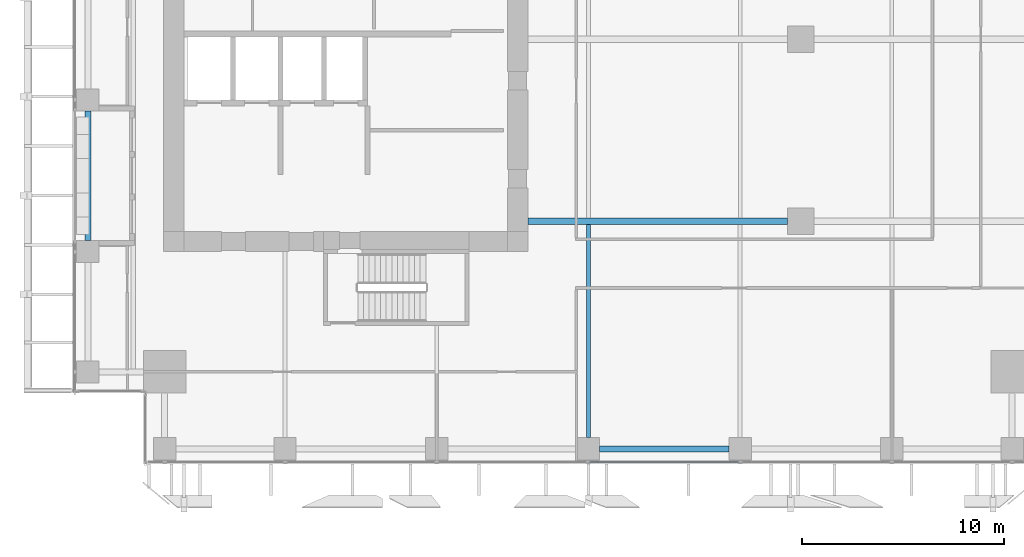
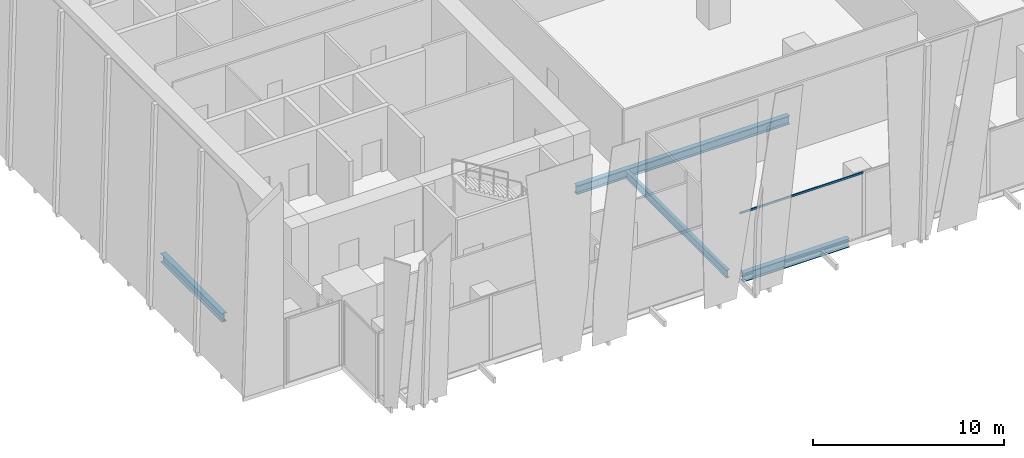
# One storey, part 4 of 34: 4 beams, 1 member, 1 element without a shape of its own.
"""IFC4 building model written with IfcOpenShell, lengths in metres."""

from ifc_helpers import new_model, si_unit, direction, frame, origin, origin_2d, place, context, subcontext, project, spatial, hollow_rectangle, i_section, extrude, source, transform, mapped, material, material_profile, profile_set, type_object, element, aggregate, save


model = new_model("IFC4")

# Units and contexts
model_context = context("Model", 3, precision=1e-05, world=origin(), true_north=direction((0.0, 1.0)))
body_context = subcontext(model_context, "Body", "Model", "MODEL_VIEW")
ifc_project = project(units=[si_unit("LENGTHUNIT", "METRE"), si_unit("AREAUNIT", "SQUARE_METRE"), si_unit("VOLUMEUNIT", "CUBIC_METRE"), si_unit("PLANEANGLEUNIT", "RADIAN"), si_unit("MASSUNIT", "GRAM", prefix="KILO")], contexts=[model_context])

# Site, building, storey
site_placement = place(None, origin())
site = spatial("IfcSite", under=ifc_project, at=site_placement, CompositionType="ELEMENT")
building_placement = place(site_placement, origin())
building = spatial("IfcBuilding", under=site, at=building_placement, Name="Khomas Fold Tower", CompositionType="ELEMENT")
storey_placement = place(building_placement, frame((0.0, 0.0, 114.699951171875)))
storey = spatial("IfcBuildingStorey", under=building, at=storey_placement, Name="L24", CompositionType="ELEMENT", Elevation=114.699951171875)

# Beams
ifc_material_1 = material(Name="Steel S355", Category="steel")
ifc_material_profile_1 = material_profile(ifc_material_1, i_section(OverallWidth=0.300048828125, OverallDepth=0.550048828125, WebThickness=0.014892578125, FlangeThickness=0.029052734375, at=origin_2d()), Name="HE 550 B")
ifc_profile_set_1 = profile_set([ifc_material_profile_1], Name="Steel S355")
beam_type_1 = type_object("IfcBeamType", Name="HE 550 B spandrel SB2", PredefinedType="SPANDREL", material=ifc_profile_set_1)
shared_shape_1 = source(origin(), body_context, "Body", "SweptSolid", [
    extrude(i_section(OverallWidth=0.300048828125, OverallDepth=0.550048828125, WebThickness=0.014892578125, FlangeThickness=0.029052734375, at=origin_2d()), origin(), (0.0, 0.0, 1.0), 6.39990234375),
])
for number, where, z_axis, x_axis, name in (
    (1, (27.550048828125, 2.25, -0.574951171875), (1.0, 0.0, 0.0), (0.0, 1.0, 0.0), "SB2"),
    (2, (2.25, 12.550048828125, -0.574951171875), (0.0, 1.0, 0.0), (-1.0, 0.0, 0.0), "SB2"),
):
    element("IfcBeam", number, at=place(storey_placement, frame(where, z_axis=z_axis, x_axis=x_axis)), inside=storey, type_object=beam_type_1, Name=name, PredefinedType="SPANDREL", context=body_context, shape_type="MappedRepresentation", body=[
        mapped(shared_shape_1, transform((0.0, 0.0, 0.0))),
    ])
ifc_material_2 = material(Name="Steel S355", Category="steel")
ifc_material_profile_2 = material_profile(ifc_material_2, i_section(OverallWidth=0.300048828125, OverallDepth=0.550048828125, WebThickness=0.014892578125, FlangeThickness=0.029052734375, at=origin_2d()), Name="HE 550 B")
ifc_profile_set_2 = profile_set([ifc_material_profile_2], Name="Steel S355")
beam_type_2 = type_object("IfcBeamType", Name="HE 550 B beam GB4", PredefinedType="BEAM", material=ifc_profile_set_2)
shared_shape_2 = source(origin(), body_context, "Body", "SweptSolid", [
    extrude(i_section(OverallWidth=0.300048828125, OverallDepth=0.550048828125, WebThickness=0.014892578125, FlangeThickness=0.029052734375, at=origin_2d()), origin(), (0.0, 0.0, 1.0), 12.85009765625),
])
beam_1_placement = place(storey_placement, frame((24.0, 13.5, -0.574951171875), z_axis=(1.0, 0.0, 0.0), x_axis=(0.0, 1.0, 0.0)))
element("IfcBeam", 3, at=beam_1_placement, inside=storey, type_object=beam_type_2, Name="GB4", PredefinedType="BEAM", context=body_context, shape_type="MappedRepresentation", body=[
    mapped(shared_shape_2, transform((0.0, 0.0, 0.0))),
])
ifc_material_3 = material(Name="Steel S355", Category="steel")
ifc_material_profile_3 = material_profile(ifc_material_3, i_section(OverallWidth=0.199951171875, OverallDepth=0.5, WebThickness=0.01025390625, FlangeThickness=0.01611328125, at=origin_2d()), Name="IPE 500")
ifc_profile_set_3 = profile_set([ifc_material_profile_3], Name="Steel S355")
beam_type_3 = type_object("IfcBeamType", Name="IPE 500 beam JB5", PredefinedType="BEAM", material=ifc_profile_set_3)
shared_shape_3 = source(origin(), body_context, "Body", "SweptSolid", [
    extrude(i_section(OverallWidth=0.199951171875, OverallDepth=0.5, WebThickness=0.01025390625, FlangeThickness=0.01611328125, at=origin_2d()), origin(), (0.0, 0.0, 1.0), 10.550048828125),
])
beam_2_placement = place(storey_placement, frame((27.0, 2.800048828125, -0.550048828125), z_axis=(0.0, 1.0, 0.0), x_axis=(-1.0, 0.0, 0.0)))
element("IfcBeam", 4, at=beam_2_placement, inside=storey, type_object=beam_type_3, Name="JB5", PredefinedType="BEAM", context=body_context, shape_type="MappedRepresentation", body=[
    mapped(shared_shape_3, transform((0.0, 0.0, 0.0))),
])

# Curtain wall, member
ifc_material_4 = material(Name="Aluminium framed double glazing", Category="aluminium")
curtain_wall_type = type_object("IfcCurtainWallType", Name="SK-Unitised clear-glass wall, growing floors CW1", PredefinedType="NOTDEFINED", material=ifc_material_4)
curtain_wall_placement = place(storey_placement, origin())
curtain_wall = element("IfcCurtainWall", 5, at=curtain_wall_placement, inside=storey, type_object=curtain_wall_type, Name="CW1 run L24 00-0", PredefinedType="NOTDEFINED")
ifc_material_5 = material(Name="Aluminium", Category="aluminium")
ifc_material_profile_4 = material_profile(ifc_material_5, hollow_rectangle(XDim=0.06005859375, YDim=0.1201171875, WallThickness=0.00390625, at=origin_2d()), Name="SK-Unitised clear-glass wall, growing floors transom CW1-T")
ifc_profile_set_4 = profile_set([ifc_material_profile_4], Name="Aluminium")
member_type = type_object("IfcMemberType", Name="SK-Unitised clear-glass wall, growing floors transom CW1-T", PredefinedType="USERDEFINED", material=ifc_profile_set_4)
shared_shape_4 = source(origin(), body_context, "Body", "SweptSolid", [
    extrude(hollow_rectangle(XDim=0.06005859375, YDim=0.1201171875, WallThickness=0.00390625, at=origin_2d()), origin(), (0.0, 0.0, 1.0), 7.43994140625),
])
member_placement = place(storey_placement, frame((27.030029296875, 1.60009765625, 4.0400390625), z_axis=(1.0, 0.0, 0.0), x_axis=(0.0, 1.0, 0.0)))
member = element("IfcMember", 6, at=member_placement, type_object=member_type, Name="CW1 transom 5", ObjectType="TRANSOM", PredefinedType="USERDEFINED", context=body_context, shape_type="MappedRepresentation", body=[
    mapped(shared_shape_4, transform((0.0, 0.0, 0.0))),
])
aggregate(curtain_wall, [member])

save(model, "model.ifc")
